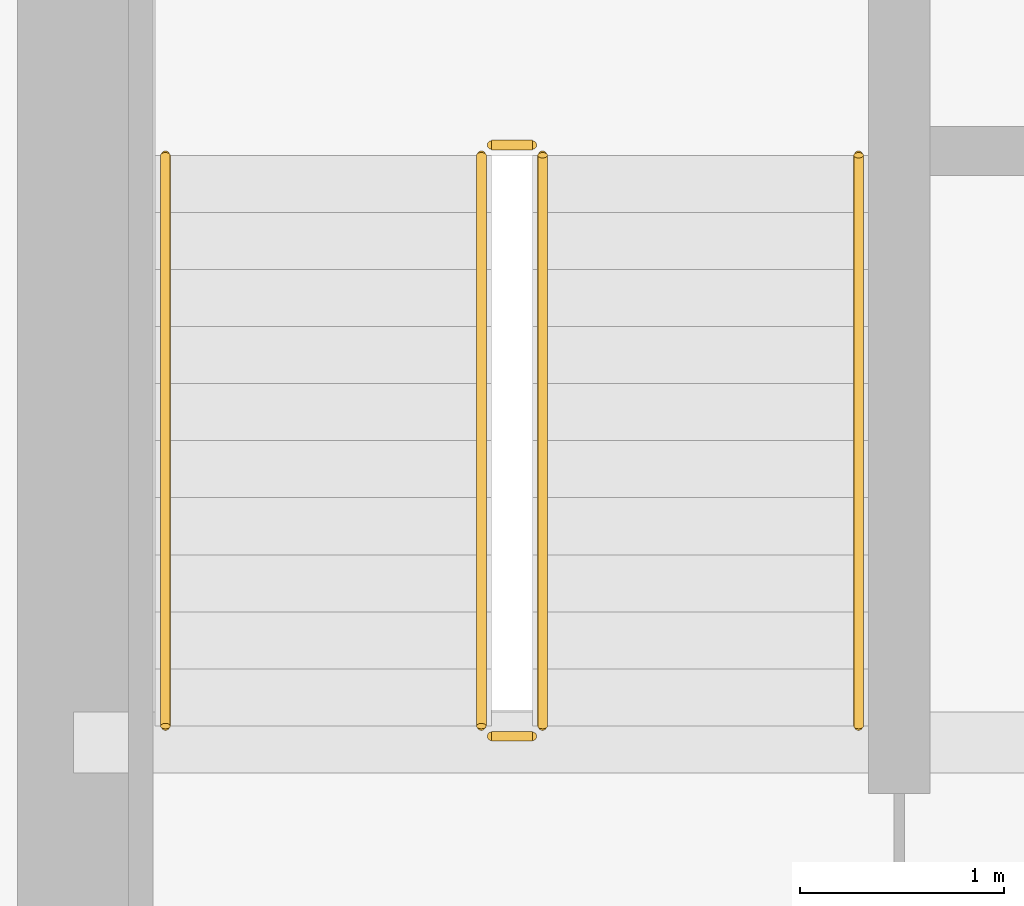
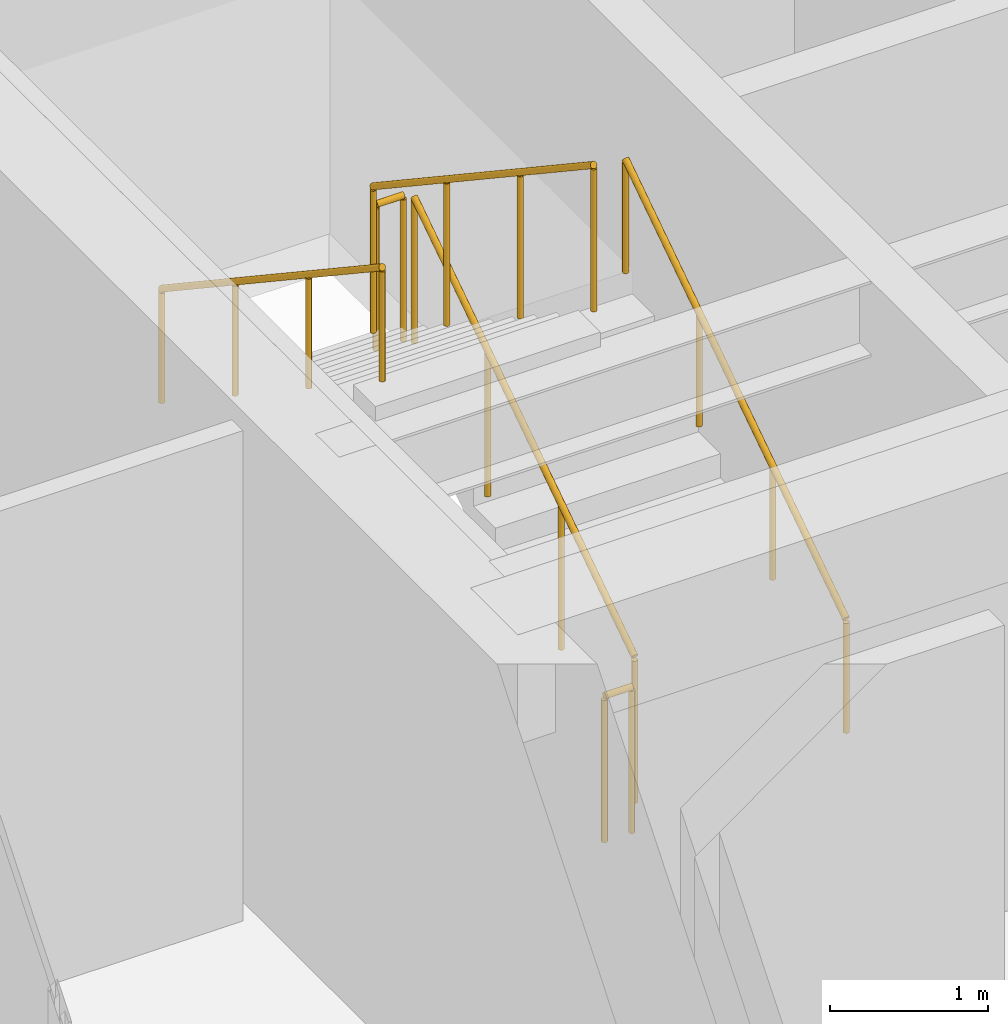
# One storey, part 32 of 33: 6 railings.
"""IFC4 building model written with IfcOpenShell, lengths in metres."""

from ifc_helpers import new_model, si_unit, direction, frame, origin, origin_2d, place, context, subcontext, project, spatial, circle, extrude, source, transform, mapped, material, type_object, type_shapes, element, save


model = new_model("IFC4")

# Units and contexts
model_context = context("Model", 3, precision=1e-05, world=origin(), true_north=direction((0.0, 1.0)))
body_context = subcontext(model_context, "Body", "Model", "MODEL_VIEW")
ifc_project = project(units=[si_unit("LENGTHUNIT", "METRE"), si_unit("AREAUNIT", "SQUARE_METRE"), si_unit("VOLUMEUNIT", "CUBIC_METRE"), si_unit("PLANEANGLEUNIT", "RADIAN"), si_unit("MASSUNIT", "GRAM", prefix="KILO")], contexts=[model_context])

# Site, building, storey
site_placement = place(None, origin())
site = spatial("IfcSite", under=ifc_project, at=site_placement, CompositionType="ELEMENT")
building_placement = place(site_placement, origin())
building = spatial("IfcBuilding", under=site, at=building_placement, Name="Haelvirn Gate Laboratories", CompositionType="ELEMENT")
storey_placement = place(building_placement, frame((0.0, 0.0, 271.10009765625)))
storey = spatial("IfcBuildingStorey", under=building, at=storey_placement, Name="L65", CompositionType="ELEMENT", Elevation=271.10009765625)

# Railings
ifc_material_1 = material(Name="Galvanised steel SM355 & stainless top rail", Category="steel")
railing_type_1 = type_object("IfcRailingType", Name="RL-GUARD-1150", PredefinedType="GUARDRAIL", material=ifc_material_1)
shared_shape_1 = source(origin(), body_context, "Body", "SweptSolid", [
    extrude(circle(Radius=0.02392578125, at=origin_2d()), frame((0.0, 0.0, 1.1259765625), z_axis=(-1.0, 0.0, 0.0), x_axis=(0.0, -1.0, 0.0)), (0.0, 0.0, 1.0), 0.199951171875),
    extrude(circle(Radius=0.02099609375, at=origin_2d()), origin(), (0.0, 0.0, 1.0), 1.101806640625),
    extrude(circle(Radius=0.02099609375, at=origin_2d()), frame((-0.199951171875, 0.0, 0.0)), (0.0, 0.0, 1.0), 1.101806640625),
])
for number, where, name in (
    (1, (9.64990234375, 29.550048828125, 2.0498046875), "L65 ST1 stair guard 2"),
    (2, (9.64990234375, 26.64990234375, 0.0), "L65 ST1 stair guard 4"),
):
    element("IfcRailing", number, at=place(storey_placement, frame(where)), inside=storey, type_object=railing_type_1, Name=name, PredefinedType="GUARDRAIL", context=body_context, shape_type="MappedRepresentation", body=[
        mapped(shared_shape_1, transform((0.0, 0.0, 0.0), scale=1.0)),
    ])
shared_shape_2 = source(origin(), body_context, "Body", "SweptSolid", [
    extrude(circle(Radius=0.02392578125, at=origin_2d()), frame((0.0, 0.0, 1.1259765625), z_axis=(0.0, 0.832485552168, 0.554046753832), x_axis=(-1.0, 0.0, 0.0)), (0.0, 0.0, 1.0), 3.363525390625),
    extrude(circle(Radius=0.02099609375, at=origin_2d()), origin(), (0.0, 0.0, 1.0), 1.101806640625),
    extrude(circle(Radius=0.02099609375, at=origin_2d()), frame((0.0, 0.933349609375, 0.62109375)), (0.0, 0.0, 1.0), 1.101806640625),
    extrude(circle(Radius=0.02099609375, at=origin_2d()), frame((0.0, 1.86669921875, 1.242431640625)), (0.0, 0.0, 1.0), 1.101806640625),
    extrude(circle(Radius=0.02099609375, at=origin_2d()), frame((0.0, 2.800048828125, 1.863525390625)), (0.0, 0.0, 1.0), 1.101806640625),
])
railing_1_placement = place(storey_placement, frame((9.699951171875, 26.699951171875, 0.186279296875)))
element("IfcRailing", 3, at=railing_1_placement, inside=storey, type_object=railing_type_1, Name="L65 ST1 stair guard 1", PredefinedType="GUARDRAIL", context=body_context, shape_type="MappedRepresentation", body=[
    mapped(shared_shape_2, transform((0.0, 0.0, 0.0), scale=1.0)),
])
ifc_material_2 = material(Name="Brushed stainless steel 316L", Category="steel")
railing_type_2 = type_object("IfcRailingType", Name="RL-HAND-920", PredefinedType="HANDRAIL", material=ifc_material_2)
shared_shape_3 = source(origin(), body_context, "Body", "SweptSolid", [
    extrude(circle(Radius=0.02392578125, at=origin_2d()), frame((0.0, 0.0, 0.8759765625), z_axis=(0.0, 0.832485552168, 0.554046753832), x_axis=(-1.0, 0.0, 0.0)), (0.0, 0.0, 1.0), 3.363525390625),
    extrude(circle(Radius=0.02099609375, at=origin_2d()), origin(), (0.0, 0.0, 1.0), 0.851806640625),
    extrude(circle(Radius=0.02099609375, at=origin_2d()), frame((0.0, 0.933349609375, 0.62109375)), (0.0, 0.0, 1.0), 0.851806640625),
    extrude(circle(Radius=0.02099609375, at=origin_2d()), frame((0.0, 1.86669921875, 1.242431640625)), (0.0, 0.0, 1.0), 0.851806640625),
    extrude(circle(Radius=0.02099609375, at=origin_2d()), frame((0.0, 2.800048828125, 1.863525390625)), (0.0, 0.0, 1.0), 0.851806640625),
])
railing_2_placement = place(storey_placement, frame((11.25, 26.699951171875, 0.186279296875)))
element("IfcRailing", 4, at=railing_2_placement, inside=storey, type_object=railing_type_2, Name="L65 ST1 stair handrail 1", PredefinedType="HANDRAIL", context=body_context, shape_type="MappedRepresentation", body=[
    mapped(shared_shape_3, transform((0.0, 0.0, 0.0), scale=1.0)),
])
shared_shape_4 = source(origin(), body_context, "Body", "SweptSolid", [
    extrude(circle(Radius=0.02392578125, at=origin_2d()), frame((0.0, 0.0, 1.1259765625), z_axis=(0.0, -0.832485552168, 0.554046753832), x_axis=(1.0, 0.0, 0.0)), (0.0, 0.0, 1.0), 3.363525390625),
    extrude(circle(Radius=0.02099609375, at=origin_2d()), origin(), (0.0, 0.0, 1.0), 1.101806640625),
    extrude(circle(Radius=0.02099609375, at=origin_2d()), frame((0.0, -0.933349609375, 0.62109375)), (0.0, 0.0, 1.0), 1.101806640625),
    extrude(circle(Radius=0.02099609375, at=origin_2d()), frame((0.0, -1.86669921875, 1.242431640625)), (0.0, 0.0, 1.0), 1.101806640625),
    extrude(circle(Radius=0.02099609375, at=origin_2d()), frame((0.0, -2.800048828125, 1.863525390625)), (0.0, 0.0, 1.0), 1.101806640625),
])
type_shapes(railing_type_1, [shared_shape_1, shared_shape_2, shared_shape_4])
railing_3_placement = place(storey_placement, frame((9.39990234375, 29.5, 2.236328125)))
element("IfcRailing", 5, at=railing_3_placement, inside=storey, type_object=railing_type_1, Name="L65 ST1 stair guard 3", PredefinedType="GUARDRAIL", context=body_context, shape_type="MappedRepresentation", body=[
    mapped(shared_shape_4, transform((0.0, 0.0, 0.0), scale=1.0)),
])
shared_shape_5 = source(origin(), body_context, "Body", "SweptSolid", [
    extrude(circle(Radius=0.02392578125, at=origin_2d()), frame((0.0, 0.0, 0.8759765625), z_axis=(0.0, -0.832485552168, 0.554046753832), x_axis=(1.0, 0.0, 0.0)), (0.0, 0.0, 1.0), 3.363525390625),
    extrude(circle(Radius=0.02099609375, at=origin_2d()), origin(), (0.0, 0.0, 1.0), 0.851806640625),
    extrude(circle(Radius=0.02099609375, at=origin_2d()), frame((0.0, -0.933349609375, 0.62109375)), (0.0, 0.0, 1.0), 0.851806640625),
    extrude(circle(Radius=0.02099609375, at=origin_2d()), frame((0.0, -1.86669921875, 1.242431640625)), (0.0, 0.0, 1.0), 0.851806640625),
    extrude(circle(Radius=0.02099609375, at=origin_2d()), frame((0.0, -2.800048828125, 1.863525390625)), (0.0, 0.0, 1.0), 0.851806640625),
])
type_shapes(railing_type_2, [shared_shape_3, shared_shape_5])
railing_4_placement = place(storey_placement, frame((7.85009765625, 29.5, 2.236328125)))
element("IfcRailing", 6, at=railing_4_placement, inside=storey, type_object=railing_type_2, Name="L65 ST1 stair handrail 2", PredefinedType="HANDRAIL", context=body_context, shape_type="MappedRepresentation", body=[
    mapped(shared_shape_5, transform((0.0, 0.0, 0.0), scale=1.0)),
])

save(model, "model.ifc")
